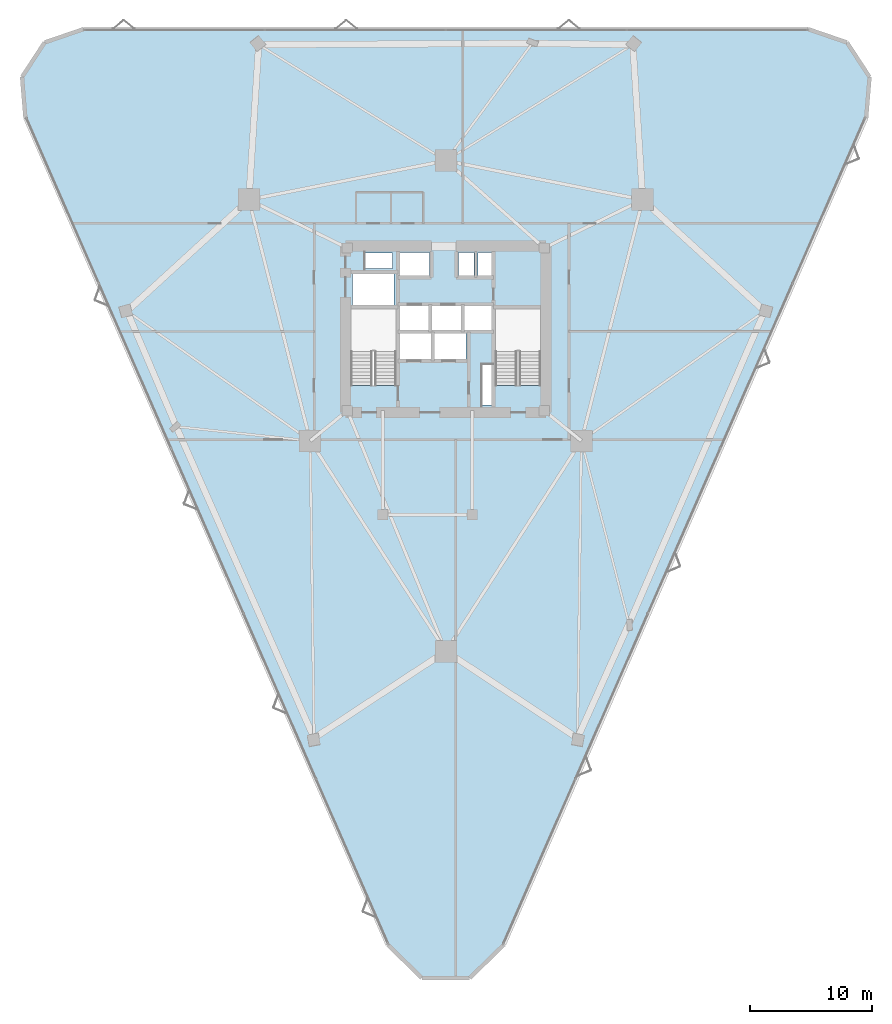
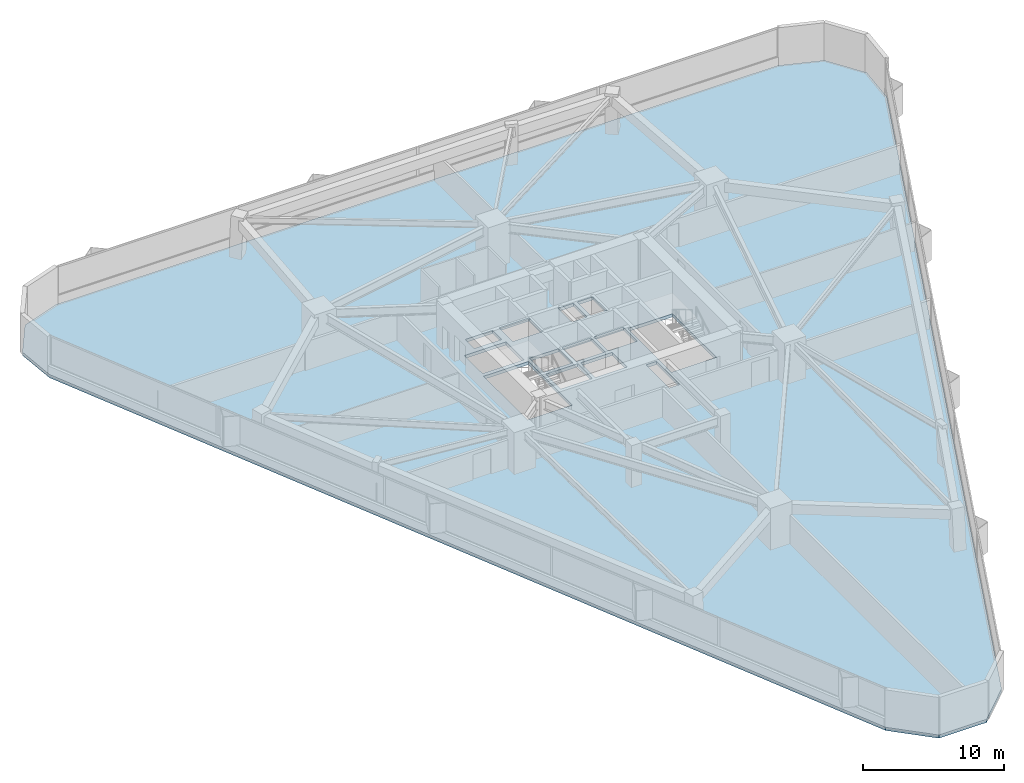
# One storey, part 15 of 20: 1 slab.
"""IFC4 building model written with IfcOpenShell, lengths in metres."""

from ifc_helpers import new_model, si_unit, direction, frame, origin, place, context, subcontext, project, spatial, polyline, outline, extrude, material, layer, layer_set, type_object, element, save


model = new_model("IFC4")

# Units and contexts
model_context = context("Model", 3, precision=1e-05, world=origin(), true_north=direction((0.0, 1.0)))
body_context = subcontext(model_context, "Body", "Model", "MODEL_VIEW")
ifc_project = project(units=[si_unit("LENGTHUNIT", "METRE"), si_unit("AREAUNIT", "SQUARE_METRE"), si_unit("VOLUMEUNIT", "CUBIC_METRE"), si_unit("PLANEANGLEUNIT", "RADIAN"), si_unit("MASSUNIT", "GRAM", prefix="KILO")], contexts=[model_context])

# Site, building, storey
site_placement = place(None, origin())
site = spatial("IfcSite", under=ifc_project, at=site_placement, CompositionType="ELEMENT")
building_placement = place(site_placement, origin())
building = spatial("IfcBuilding", under=site, at=building_placement, Name="Talyreon Biosciences Tower", CompositionType="ELEMENT")
storey_placement = place(building_placement, frame((0.0, 0.0, 26.449951171875)))
storey = spatial("IfcBuildingStorey", under=building, at=storey_placement, Name="L06", CompositionType="ELEMENT", Elevation=26.449951171875)

# Slab
ifc_material = material(Name="Concrete C40/50", Category="concrete")
ifc_layer = layer(ifc_material, 0.27490234375)
ifc_layer_set = layer_set([ifc_layer], Name="Concrete C40/50")
slab_type = type_object("IfcSlabType", Name="WetLabFloorSlab_275", PredefinedType="FLOOR", material=ifc_layer_set)
slab_placement = place(storey_placement, frame((0.0, 0.0, -0.27490234375)))
element("IfcSlab", 1, at=slab_placement, inside=storey, type_object=slab_type, Name="L06 Structural Floor Slab", PredefinedType="FLOOR", context=body_context, shape_type="SweptSolid", body=[
    extrude(outline(polyline([(61.2373046875, 17.689453125), (31.62548828125, 85.267333984375), (31.347900390625, 88.632080078125), (33.195068359375, 91.458251953125), (36.388427734375, 92.55419921875), (95.611572265625, 92.55419921875), (98.804931640625, 91.458251953125), (100.652099609375, 88.632080078125), (100.37451171875, 85.267333984375), (70.7626953125, 17.689453125), (67.95751953125, 14.958984375), (64.04248046875, 14.958984375), (61.2373046875, 17.689453125)]), holes=[polyline([(61.929931640625, 69.64990234375), (61.929931640625, 63.407958984375), (58.25, 63.407958984375), (58.25, 69.64990234375), (61.929931640625, 69.64990234375)]), polyline([(64.800048828125, 65.550048828125), (62.199951171875, 65.550048828125), (62.199951171875, 67.64990234375), (64.800048828125, 67.64990234375), (64.800048828125, 65.550048828125)]), polyline([(64.60009765625, 67.949951171875), (62.199951171875, 67.949951171875), (62.199951171875, 69.949951171875), (64.60009765625, 69.949951171875), (64.60009765625, 67.949951171875)]), polyline([(67.25, 69.949951171875), (67.25, 67.949951171875), (64.85009765625, 67.949951171875), (64.85009765625, 69.949951171875), (67.25, 69.949951171875)]), polyline([(61.75, 69.97998046875), (58.35009765625, 69.97998046875), (58.35009765625, 72.550048828125), (61.75, 72.550048828125), (61.75, 69.97998046875)]), polyline([(64.64990234375, 72.35009765625), (62.199951171875, 72.35009765625), (62.199951171875, 74.300048828125), (64.64990234375, 74.300048828125), (64.64990234375, 72.35009765625)]), polyline([(61.64990234375, 74.25), (61.64990234375, 72.9599609375), (59.39990234375, 72.9599609375), (59.39990234375, 74.25), (61.64990234375, 74.25)]), polyline([(69.820068359375, 61.800048828125), (68.9599609375, 61.800048828125), (68.9599609375, 65.10009765625), (69.820068359375, 65.10009765625), (69.820068359375, 61.800048828125)]), polyline([(73.75, 63.407958984375), (70.070068359375, 63.407958984375), (70.070068359375, 69.64990234375), (73.75, 69.64990234375), (73.75, 63.407958984375)]), polyline([(67.64990234375, 65.550048828125), (65.050048828125, 65.550048828125), (65.050048828125, 67.64990234375), (67.64990234375, 67.64990234375), (67.64990234375, 65.550048828125)]), polyline([(69.89990234375, 67.949951171875), (67.5, 67.949951171875), (67.5, 69.949951171875), (69.89990234375, 69.949951171875), (69.89990234375, 67.949951171875)]), polyline([(68.300048828125, 72.35009765625), (67.050048828125, 72.35009765625), (67.050048828125, 74.300048828125), (68.300048828125, 74.300048828125), (68.300048828125, 72.35009765625)]), polyline([(69.919921875, 72.35009765625), (68.6201171875, 72.35009765625), (68.6201171875, 74.300048828125), (69.919921875, 74.300048828125), (69.919921875, 72.35009765625)])]), origin(), (0.0, 0.0, 1.0), 0.27490234375),
])

save(model, "model.ifc")
